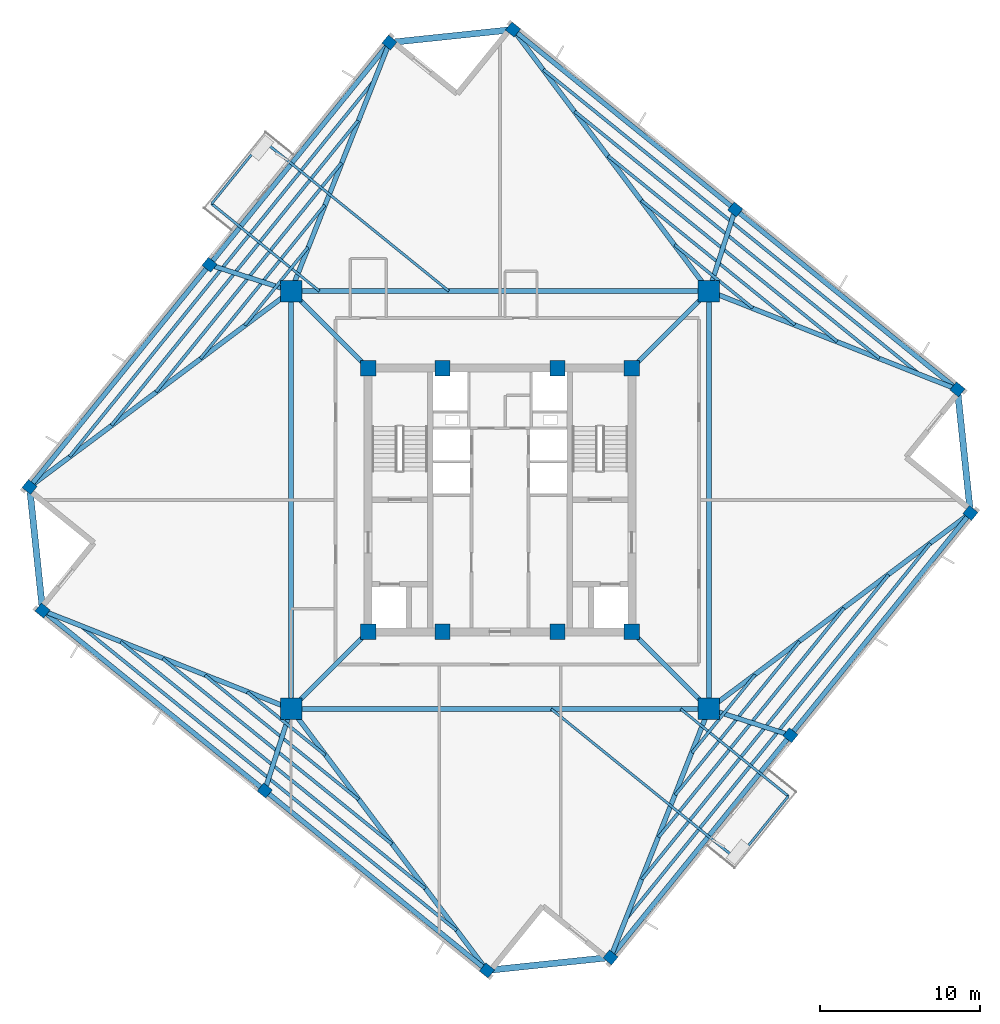
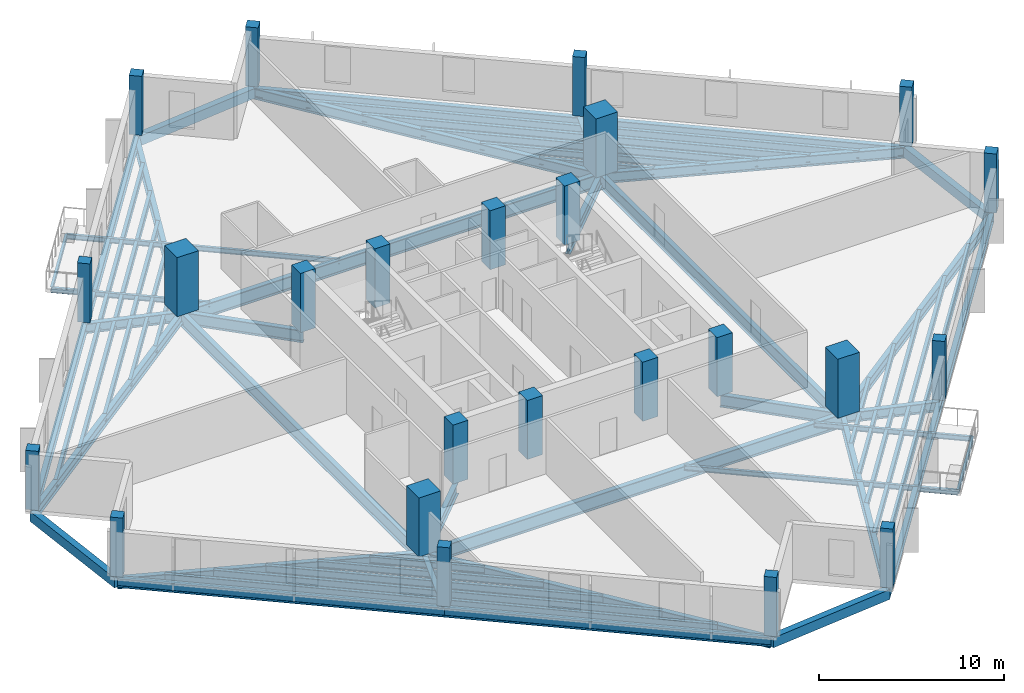
# One storey, part 1 of 9: 58 beams, 24 columns.
"""IFC4 building model written with IfcOpenShell, lengths in metres."""

from ifc_helpers import new_model, si_unit, direction, frame, origin, origin_2d, place, context, subcontext, project, spatial, rectangle, i_section, extrude, source, transform, mapped, material, material_profile, profile_set, type_object, element, save


model = new_model("IFC4")

# Units and contexts
model_context = context("Model", 3, precision=1e-05, world=origin(), true_north=direction((0.0, 1.0)))
body_context = subcontext(model_context, "Body", "Model", "MODEL_VIEW")
ifc_project = project(units=[si_unit("LENGTHUNIT", "METRE"), si_unit("AREAUNIT", "SQUARE_METRE"), si_unit("VOLUMEUNIT", "CUBIC_METRE"), si_unit("PLANEANGLEUNIT", "RADIAN"), si_unit("MASSUNIT", "GRAM", prefix="KILO"), si_unit("THERMODYNAMICTEMPERATUREUNIT", "KELVIN")], contexts=[model_context])

# Site, building, storey
site_placement = place(None, origin())
site = spatial("IfcSite", under=ifc_project, at=site_placement, CompositionType="ELEMENT")
building_placement = place(site_placement, origin())
building = spatial("IfcBuilding", under=site, at=building_placement, Name="Kosmvard Interchange Tower", CompositionType="ELEMENT")
storey_placement = place(building_placement, frame((0.0, 0.0, 248.5)))
storey = spatial("IfcBuildingStorey", under=building, at=storey_placement, Name="L60", CompositionType="ELEMENT", Elevation=248.5)

# Columns
ifc_material_1 = material(Name="Concrete C60/75", Category="concrete")
ifc_material_profile_1 = material_profile(ifc_material_1, rectangle(XDim=0.949951171875, YDim=0.949951171875, at=origin_2d()), Name="CP 950x950")
ifc_profile_set_1 = profile_set([ifc_material_profile_1], Name="Concrete C60/75")
column_type_1 = type_object("IfcColumnType", Name="Core Boundary Pilaster 950x950 C60/75", PredefinedType="PILASTER", material=ifc_profile_set_1)
shared_shape_1 = source(origin(), body_context, "Body", "SweptSolid", [
    extrude(rectangle(XDim=0.949951171875, YDim=0.949951171875, at=origin_2d()), origin(), (0.0, 0.0, 1.0), 3.89990234375),
])
for number, where, z_axis, x_axis, name in (
    (1, (-8.25, -8.25, 0.0), (0.0, 0.0, 1.0), (1.0, 0.0, 0.0), "L60 Core Pilaster CP1"),
    (2, (8.25, -8.25, 0.0), (0.0, 0.0, 1.0), (1.0, 0.0, 0.0), "L60 Core Pilaster CP2"),
    (3, (8.25, 8.25, 0.0), (0.0, 0.0, 1.0), (1.0, 0.0, 0.0), "L60 Core Pilaster CP3"),
    (4, (-8.25, 8.25, 0.0), (0.0, 0.0, 1.0), (1.0, 0.0, 0.0), "L60 Core Pilaster CP4"),
    (5, (-3.60009765625, -8.25, 0.0), (0.0, 0.0, 1.0), (1.0, 0.0, 0.0), "L60 Core Pilaster CP5"),
    (6, (3.60009765625, -8.25, 0.0), (0.0, 0.0, 1.0), (1.0, 0.0, 0.0), "L60 Core Pilaster CP6"),
    (7, (-3.60009765625, 8.25, 0.0), (0.0, 0.0, 1.0), (1.0, 0.0, 0.0), "L60 Core Pilaster CP7"),
    (8, (3.60009765625, 8.25, 0.0), (0.0, 0.0, 1.0), (1.0, 0.0, 0.0), "L60 Core Pilaster CP8"),
):
    element("IfcColumn", number, at=place(storey_placement, frame(where, z_axis=z_axis, x_axis=x_axis)), inside=storey, type_object=column_type_1, Name=name, PredefinedType="PILASTER", context=body_context, shape_type="MappedRepresentation", body=[
        mapped(shared_shape_1, transform((0.0, 0.0, 0.0), scale=1.0)),
    ])
ifc_material_profile_2 = material_profile(ifc_material_1, rectangle(XDim=1.35009765625, YDim=1.35009765625, at=origin_2d()), Name="MC 1350x1350")
ifc_profile_set_2 = profile_set([ifc_material_profile_2], Name="Concrete C60/75")
column_type_2 = type_object("IfcColumnType", Name="Composite Mega-Column 1350x1350 C60/75", PredefinedType="COLUMN", material=ifc_profile_set_2)
shared_shape_2 = source(origin(), body_context, "Body", "SweptSolid", [
    extrude(rectangle(XDim=1.35009765625, YDim=1.35009765625, at=origin_2d()), origin(), (0.0, 0.0, 1.0), 3.89990234375),
])
for number, where, z_axis, x_axis, name in (
    (9, (-13.0810546875, -13.0810546875, 0.0), (0.0, 0.0, 1.0), (1.0, 0.0, 0.0), "L60 Corner Mega-Column MC1"),
    (10, (13.0810546875, -13.0810546875, 0.0), (0.0, 0.0, 1.0), (1.0, 0.0, 0.0), "L60 Corner Mega-Column MC2"),
    (11, (13.0810546875, 13.0810546875, 0.0), (0.0, 0.0, 1.0), (1.0, 0.0, 0.0), "L60 Corner Mega-Column MC3"),
    (12, (-13.0810546875, 13.0810546875, 0.0), (0.0, 0.0, 1.0), (1.0, 0.0, 0.0), "L60 Corner Mega-Column MC4"),
):
    element("IfcColumn", number, at=place(storey_placement, frame(where, z_axis=z_axis, x_axis=x_axis)), inside=storey, type_object=column_type_2, Name=name, PredefinedType="COLUMN", context=body_context, shape_type="MappedRepresentation", body=[
        mapped(shared_shape_2, transform((0.0, 0.0, 0.0), scale=1.0)),
    ])
ifc_material_2 = material(Name="Concrete C50/60", Category="concrete")
ifc_material_profile_3 = material_profile(ifc_material_2, rectangle(XDim=0.64990234375, YDim=0.699951171875, at=origin_2d()), Name="TC 700x650")
ifc_profile_set_3 = profile_set([ifc_material_profile_3], Name="Concrete C50/60")
column_type_3 = type_object("IfcColumnType", Name="Zone 4 Perimeter Pier Column 700x650 C50/60", PredefinedType="COLUMN", material=ifc_profile_set_3)
shared_shape_3 = source(origin(), body_context, "Body", "SweptSolid", [
    extrude(rectangle(XDim=0.64990234375, YDim=0.699951171875, at=origin_2d()), origin(), (0.0, 0.0, 1.0), 3.89990234375),
])
for number, where, z_axis, x_axis, name in (
    (13, (6.92041015625, -28.636962890625, 0.0), (0.0, 0.0, 1.0), (0.62932039105, 0.777145961457, 0.0), "L60 Perimeter Pier Column TC-S1"),
    (14, (18.185302734375, -14.72607421875, 0.0), (0.0, 0.0, 1.0), (0.62932039105, 0.777145961457, 0.0), "L60 Perimeter Pier Column TC-S2"),
    (15, (29.449951171875, -0.815185546875, 0.0), (0.0, 0.0, 1.0), (0.62932039105, 0.777145961457, 0.0), "L60 Perimeter Pier Column TC-S3"),
    (16, (28.636962890625, 6.92041015625, 0.0), (0.0, 0.0, 1.0), (0.62932039105, 0.777145961457, 0.0), "L60 Perimeter Pier Column TC-E1"),
    (17, (14.72607421875, 18.185302734375, 0.0), (0.0, 0.0, 1.0), (0.62932039105, 0.777145961457, 0.0), "L60 Perimeter Pier Column TC-E2"),
    (18, (0.815185546875, 29.449951171875, 0.0), (0.0, 0.0, 1.0), (0.62932039105, 0.777145961457, 0.0), "L60 Perimeter Pier Column TC-E3"),
    (19, (-6.92041015625, 28.636962890625, 0.0), (0.0, 0.0, 1.0), (0.62932039105, 0.777145961457, 0.0), "L60 Perimeter Pier Column TC-N1"),
    (20, (-18.185302734375, 14.72607421875, 0.0), (0.0, 0.0, 1.0), (0.62932039105, 0.777145961457, 0.0), "L60 Perimeter Pier Column TC-N2"),
    (21, (-29.449951171875, 0.815185546875, 0.0), (0.0, 0.0, 1.0), (0.62932039105, 0.777145961457, 0.0), "L60 Perimeter Pier Column TC-N3"),
    (22, (-28.636962890625, -6.92041015625, 0.0), (0.0, 0.0, 1.0), (0.62932039105, 0.777145961457, 0.0), "L60 Perimeter Pier Column TC-W1"),
    (23, (-14.72607421875, -18.185302734375, 0.0), (0.0, 0.0, 1.0), (0.62932039105, 0.777145961457, 0.0), "L60 Perimeter Pier Column TC-W2"),
    (24, (-0.815185546875, -29.449951171875, 0.0), (0.0, 0.0, 1.0), (0.62932039105, 0.777145961457, 0.0), "L60 Perimeter Pier Column TC-W3"),
):
    element("IfcColumn", number, at=place(storey_placement, frame(where, z_axis=z_axis, x_axis=x_axis)), inside=storey, type_object=column_type_3, Name=name, PredefinedType="COLUMN", context=body_context, shape_type="MappedRepresentation", body=[
        mapped(shared_shape_3, transform((0.0, 0.0, 0.0), scale=1.0)),
    ])

# Beams
ifc_material_3 = material(Name="Steel S355", Category="steel")
ifc_material_profile_4 = material_profile(ifc_material_3, i_section(OverallWidth=0.14990234375, OverallDepth=0.300048828125, WebThickness=0.007080078125, FlangeThickness=0.0107421875, FilletRadius=0.014892578125, at=origin_2d()), Name="IPE 300")
ifc_profile_set_4 = profile_set([ifc_material_profile_4], Name="Steel S355")
beam_type_1 = type_object("IfcBeamType", Name="Balcony Edge Header Joist IPE 300 S355", PredefinedType="JOIST", material=ifc_profile_set_4)
shared_shape_4 = source(origin(), body_context, "Body", "SweptSolid", [
    extrude(i_section(OverallWidth=0.14990234375, OverallDepth=0.300048828125, WebThickness=0.007080078125, FlangeThickness=0.0107421875, FilletRadius=0.014892578125, at=origin_2d()), origin(), (0.0, 0.0, 1.0), 5.099853515625),
])
for number, where, z_axis, x_axis, name in (
    (25, (-14.84375, 22.50732421875, -0.389892578125), (-0.629319408179, -0.777146757369, 0.0), (0.777146757369, -0.629319408179, 0.0), "BM-L60-BJH1"),
    (26, (14.84375, -22.50732421875, -0.389892578125), (0.629319408179, 0.777146757369, 0.0), (-0.777146757369, 0.629319408179, 0.0), "BM-L60-BJH2"),
):
    element("IfcBeam", number, at=place(storey_placement, frame(where, z_axis=z_axis, x_axis=x_axis)), inside=storey, type_object=beam_type_1, Name=name, PredefinedType="JOIST", context=body_context, shape_type="MappedRepresentation", body=[
        mapped(shared_shape_4, transform((0.0, 0.0, 0.0), scale=1.0)),
    ])
ifc_material_profile_5 = material_profile(ifc_material_3, i_section(OverallWidth=0.300048828125, OverallDepth=0.800048828125, WebThickness=0.017578125, FlangeThickness=0.032958984375, FilletRadius=0.027099609375, at=origin_2d()), Name="HEB 800")
ifc_profile_set_5 = profile_set([ifc_material_profile_5], Name="Steel S355")
beam_type_2 = type_object("IfcBeamType", Name="Primary Mega-Frame Girder HEB 800 S355", PredefinedType="BEAM", material=ifc_profile_set_5)
shared_shape_5 = source(origin(), body_context, "Body", "SweptSolid", [
    extrude(i_section(OverallWidth=0.300048828125, OverallDepth=0.800048828125, WebThickness=0.017578125, FlangeThickness=0.032958984375, FilletRadius=0.027099609375, at=origin_2d()), origin(), (0.0, 0.0, 1.0), 6.83203125),
])
for number, where, z_axis, x_axis, name in (
    (27, (-8.25, -8.25, -0.639892578125), (-0.707106781187, -0.707106781187, 0.0), (0.707106781187, -0.707106781187, 0.0), "L60 Radial Mega-Frame Girder 1"),
    (28, (8.25, -8.25, -0.639892578125), (0.707106781187, -0.707106781187, 0.0), (0.707106781187, 0.707106781187, 0.0), "L60 Radial Mega-Frame Girder 2"),
    (29, (8.25, 8.25, -0.639892578125), (0.707106781187, 0.707106781187, 0.0), (-0.707106781187, 0.707106781187, 0.0), "L60 Radial Mega-Frame Girder 3"),
    (30, (-8.25, 8.25, -0.639892578125), (-0.707106781187, 0.707106781187, 0.0), (-0.707106781187, -0.707106781187, 0.0), "L60 Radial Mega-Frame Girder 4"),
):
    element("IfcBeam", number, at=place(storey_placement, frame(where, z_axis=z_axis, x_axis=x_axis)), inside=storey, type_object=beam_type_2, Name=name, PredefinedType="BEAM", context=body_context, shape_type="MappedRepresentation", body=[
        mapped(shared_shape_5, transform((0.0, 0.0, 0.0), scale=1.0)),
    ])
ifc_material_profile_6 = material_profile(ifc_material_3, i_section(OverallWidth=0.300048828125, OverallDepth=0.89990234375, WebThickness=0.0185546875, FlangeThickness=0.034912109375, FilletRadius=0.030029296875, at=origin_2d()), Name="HEB 900")
ifc_profile_set_6 = profile_set([ifc_material_profile_6], Name="Steel S355")
beam_type_3 = type_object("IfcBeamType", Name="Mega-Column Ring Girder HEB 900 S355", PredefinedType="BEAM", material=ifc_profile_set_6)
shared_shape_6 = source(origin(), body_context, "Body", "SweptSolid", [
    extrude(i_section(OverallWidth=0.300048828125, OverallDepth=0.89990234375, WebThickness=0.0185546875, FlangeThickness=0.034912109375, FilletRadius=0.030029296875, at=origin_2d()), origin(), (0.0, 0.0, 1.0), 26.162109375),
])
for number, where, z_axis, x_axis, name in (
    (31, (-13.0810546875, -13.0810546875, -0.68994140625), (1.0, 0.0, 0.0), (0.0, 1.0, 0.0), "L60 Mega-Column Ring Girder 1"),
    (32, (13.0810546875, -13.0810546875, -0.68994140625), (0.0, 1.0, 0.0), (-1.0, 0.0, 0.0), "L60 Mega-Column Ring Girder 2"),
    (33, (13.0810546875, 13.0810546875, -0.68994140625), (-1.0, 0.0, 0.0), (0.0, -1.0, 0.0), "L60 Mega-Column Ring Girder 3"),
    (34, (-13.0810546875, 13.0810546875, -0.68994140625), (0.0, -1.0, 0.0), (1.0, 0.0, 0.0), "L60 Mega-Column Ring Girder 4"),
):
    element("IfcBeam", number, at=place(storey_placement, frame(where, z_axis=z_axis, x_axis=x_axis)), inside=storey, type_object=beam_type_3, Name=name, PredefinedType="BEAM", context=body_context, shape_type="MappedRepresentation", body=[
        mapped(shared_shape_6, transform((0.0, 0.0, 0.0), scale=1.0)),
    ])
ifc_material_profile_7 = material_profile(ifc_material_3, i_section(OverallWidth=0.300048828125, OverallDepth=0.60009765625, WebThickness=0.015380859375, FlangeThickness=0.030029296875, FilletRadius=0.027099609375, at=origin_2d()), Name="HEB 600")
ifc_profile_set_7 = profile_set([ifc_material_profile_7], Name="Steel S355")
beam_type_4 = type_object("IfcBeamType", Name="Perimeter Tie Girder HEB 600 S355", PredefinedType="BEAM", material=ifc_profile_set_7)
shared_shape_7 = source(origin(), body_context, "Body", "SweptSolid", [
    extrude(i_section(OverallWidth=0.300048828125, OverallDepth=0.60009765625, WebThickness=0.015380859375, FlangeThickness=0.030029296875, FilletRadius=0.027099609375, at=origin_2d()), origin(), (0.0, 0.0, 1.0), 17.89990234375),
])
for number, where, z_axis, x_axis, name in (
    (35, (6.92041015625, -28.636962890625, -0.5400390625), (0.629322990554, 0.777143856413, 0.0), (-0.777143856413, 0.629322990554, 0.0), "BM-L60-PR01"),
    (36, (18.185302734375, -14.72607421875, -0.5400390625), (0.629314753061, 0.777150526976, 0.0), (-0.777150526976, 0.629314753061, 0.0), "BM-L60-PR02"),
    (37, (28.636962890625, 6.92041015625, -0.5400390625), (-0.777143856413, 0.629322990554, 0.0), (-0.629322990554, -0.777143856413, 0.0), "BM-L60-PR04"),
    (38, (14.72607421875, 18.185302734375, -0.5400390625), (-0.777150526976, 0.629314753061, 0.0), (-0.629314753061, -0.777150526976, 0.0), "BM-L60-PR05"),
    (39, (-6.92041015625, 28.636962890625, -0.5400390625), (-0.629322990554, -0.777143856413, 0.0), (0.777143856413, -0.629322990554, 0.0), "BM-L60-PR07"),
    (40, (-18.185302734375, 14.72607421875, -0.5400390625), (-0.629314753061, -0.777150526976, 0.0), (0.777150526976, -0.629314753061, 0.0), "BM-L60-PR08"),
    (41, (-28.636962890625, -6.92041015625, -0.5400390625), (0.777143856413, -0.629322990554, 0.0), (0.629322990554, 0.777143856413, 0.0), "BM-L60-PR10"),
    (42, (-14.72607421875, -18.185302734375, -0.5400390625), (0.777150526976, -0.629314753061, 0.0), (0.629314753061, 0.777150526976, 0.0), "BM-L60-PR11"),
):
    element("IfcBeam", number, at=place(storey_placement, frame(where, z_axis=z_axis, x_axis=x_axis)), inside=storey, type_object=beam_type_4, Name=name, PredefinedType="BEAM", context=body_context, shape_type="MappedRepresentation", body=[
        mapped(shared_shape_7, transform((0.0, 0.0, 0.0), scale=1.0)),
    ])
ifc_material_profile_8 = material_profile(ifc_material_3, i_section(OverallWidth=0.300048828125, OverallDepth=0.699951171875, WebThickness=0.01708984375, FlangeThickness=0.031982421875, FilletRadius=0.027099609375, at=origin_2d()), Name="HEB 700")
ifc_profile_set_8 = profile_set([ifc_material_profile_8], Name="Steel S355")
beam_type_5 = type_object("IfcBeamType", Name="Primary Floor Girder HEB 700 S355", PredefinedType="BEAM", material=ifc_profile_set_8)
shared_shape_8 = source(origin(), body_context, "Body", "SweptSolid", [
    extrude(i_section(OverallWidth=0.300048828125, OverallDepth=0.699951171875, WebThickness=0.01708984375, FlangeThickness=0.031982421875, FilletRadius=0.027099609375, at=origin_2d()), origin(), (0.0, 0.0, 1.0), 16.7314453125),
])
for number, where, z_axis, x_axis, name in (
    (43, (13.0810546875, -13.0810546875, -0.590087890625), (-0.368208500474, -0.929743244223, 0.0), (0.929743244223, -0.368208500474, 0.0), "BM-L60-RD01"),
    (44, (13.0810546875, 13.0810546875, -0.590087890625), (0.929743244223, -0.368208500474, 0.0), (0.368208500474, 0.929743244223, 0.0), "BM-L60-RD04"),
    (45, (-13.0810546875, 13.0810546875, -0.590087890625), (0.368208500474, 0.929743244223, 0.0), (-0.929743244223, 0.368208500474, 0.0), "BM-L60-RD07"),
    (46, (-13.0810546875, -13.0810546875, -0.590087890625), (-0.929743244223, 0.368208500474, 0.0), (-0.368208500474, -0.929743244223, 0.0), "BM-L60-RD10"),
):
    element("IfcBeam", number, at=place(storey_placement, frame(where, z_axis=z_axis, x_axis=x_axis)), inside=storey, type_object=beam_type_5, Name=name, PredefinedType="BEAM", context=body_context, shape_type="MappedRepresentation", body=[
        mapped(shared_shape_8, transform((0.0, 0.0, 0.0), scale=1.0)),
    ])
ifc_material_profile_9 = material_profile(ifc_material_3, i_section(OverallWidth=0.300048828125, OverallDepth=0.64990234375, WebThickness=0.01611328125, FlangeThickness=0.031005859375, FilletRadius=0.027099609375, at=origin_2d()), Name="HEB 650")
ifc_profile_set_9 = profile_set([ifc_material_profile_9], Name="Steel S355")
beam_type_6 = type_object("IfcBeamType", Name="Primary Floor Girder HEB 650 S355", PredefinedType="BEAM", material=ifc_profile_set_9)
shared_shape_9 = source(origin(), body_context, "Body", "SweptSolid", [
    extrude(i_section(OverallWidth=0.300048828125, OverallDepth=0.64990234375, WebThickness=0.01611328125, FlangeThickness=0.031005859375, FilletRadius=0.027099609375, at=origin_2d()), origin(), (0.0, 0.0, 1.0), 5.36279296875),
])
for number, where, z_axis, x_axis, name in (
    (47, (13.0810546875, -13.0810546875, -0.56494140625), (0.951790966135, -0.306747382686, 0.0), (0.306747382686, 0.951790966135, 0.0), "BM-L60-RD02"),
    (48, (13.0810546875, 13.0810546875, -0.56494140625), (0.306747382686, 0.951790966135, 0.0), (-0.951790966135, 0.306747382686, 0.0), "BM-L60-RD05"),
    (49, (-13.0810546875, 13.0810546875, -0.56494140625), (-0.951790966135, 0.306747382686, 0.0), (-0.306747382686, -0.951790966135, 0.0), "BM-L60-RD08"),
    (50, (-13.0810546875, -13.0810546875, -0.56494140625), (-0.306747382686, -0.951790966135, 0.0), (0.951790966135, -0.306747382686, 0.0), "BM-L60-RD11"),
):
    element("IfcBeam", number, at=place(storey_placement, frame(where, z_axis=z_axis, x_axis=x_axis)), inside=storey, type_object=beam_type_6, Name=name, PredefinedType="BEAM", context=body_context, shape_type="MappedRepresentation", body=[
        mapped(shared_shape_9, transform((0.0, 0.0, 0.0), scale=1.0)),
    ])
ifc_material_4 = material(Name="Precast concrete C45/55", Category="concrete")
ifc_material_profile_10 = material_profile(ifc_material_4, rectangle(XDim=0.39990234375, YDim=0.64990234375, at=origin_2d()), Name="SL 400x650")
ifc_profile_set_10 = profile_set([ifc_material_profile_10], Name="Precast concrete C45/55")
beam_type_7 = type_object("IfcBeamType", Name="Precast Spandrel Lintel 400x650 C45/55", PredefinedType="LINTEL", material=ifc_profile_set_10)
shared_shape_10 = source(origin(), body_context, "Body", "SweptSolid", [
    extrude(rectangle(XDim=0.39990234375, YDim=0.64990234375, at=origin_2d()), origin(), (0.0, 0.0, 1.0), 7.7783203125),
])
for number, where, z_axis, x_axis, name in (
    (51, (29.449951171875, -0.815185546875, -0.56494140625), (-0.104521394525, 0.994522638298, 0.0), (-0.994522638298, -0.104521394525, 0.0), "BM-L60-SL1"),
    (52, (0.815185546875, 29.449951171875, -0.56494140625), (-0.994522638298, -0.104521394525, 0.0), (0.104521394525, -0.994522638298, 0.0), "BM-L60-SL2"),
    (53, (-29.449951171875, 0.815185546875, -0.56494140625), (0.104521394525, -0.994522638298, 0.0), (0.994522638298, 0.104521394525, 0.0), "BM-L60-SL3"),
    (54, (-0.815185546875, -29.449951171875, -0.56494140625), (0.994522638298, 0.104521394525, 0.0), (-0.104521394525, 0.994522638298, 0.0), "BM-L60-SL4"),
):
    element("IfcBeam", number, at=place(storey_placement, frame(where, z_axis=z_axis, x_axis=x_axis)), inside=storey, type_object=beam_type_7, Name=name, PredefinedType="LINTEL", context=body_context, shape_type="MappedRepresentation", body=[
        mapped(shared_shape_10, transform((0.0, 0.0, 0.0), scale=1.0)),
    ])
shared_shape_11 = source(origin(), body_context, "Body", "SweptSolid", [
    extrude(i_section(OverallWidth=0.300048828125, OverallDepth=0.699951171875, WebThickness=0.01708984375, FlangeThickness=0.031982421875, FilletRadius=0.027099609375, at=origin_2d()), origin(), (0.0, 0.0, 1.0), 20.45458984375),
])
for number, where, z_axis, x_axis, name in (
    (55, (13.0810546875, -13.0810546875, -0.590087890625), (0.800253443036, 0.599661927179, 0.0), (-0.599661927179, 0.800253443036, 0.0), "BM-L60-RD03"),
    (56, (13.0810546875, 13.0810546875, -0.590087890625), (-0.599661927179, 0.800253443036, 0.0), (-0.800253443036, -0.599661927179, 0.0), "BM-L60-RD06"),
    (57, (-13.0810546875, 13.0810546875, -0.590087890625), (-0.800253443036, -0.599661927179, 0.0), (0.599661927179, -0.800253443036, 0.0), "BM-L60-RD09"),
    (58, (-13.0810546875, -13.0810546875, -0.590087890625), (0.599661927179, -0.800253443036, 0.0), (0.800253443036, 0.599661927179, 0.0), "BM-L60-RD12"),
):
    element("IfcBeam", number, at=place(storey_placement, frame(where, z_axis=z_axis, x_axis=x_axis)), inside=storey, type_object=beam_type_5, Name=name, PredefinedType="BEAM", context=body_context, shape_type="MappedRepresentation", body=[
        mapped(shared_shape_11, transform((0.0, 0.0, 0.0), scale=1.0)),
    ])
ifc_material_profile_11 = material_profile(ifc_material_3, i_section(OverallWidth=0.18994140625, OverallDepth=0.449951171875, WebThickness=0.009521484375, FlangeThickness=0.0146484375, FilletRadius=0.02099609375, at=origin_2d()), Name="IPE 450")
ifc_profile_set_11 = profile_set([ifc_material_profile_11], Name="Steel S355")
beam_type_8 = type_object("IfcBeamType", Name="Mid-Rise Floor Joist IPE 450 S355", PredefinedType="JOIST", material=ifc_profile_set_11)
shared_shape_12 = source(origin(), body_context, "Body", "SweptSolid", [
    extrude(i_section(OverallWidth=0.18994140625, OverallDepth=0.449951171875, WebThickness=0.009521484375, FlangeThickness=0.0146484375, FilletRadius=0.02099609375, at=origin_2d()), origin(), (0.0, 0.0, 1.0), 6.283935546875),
])
for number, where, z_axis, x_axis, name in (
    (59, (12.0224609375, -15.81884765625, -0.465087890625), (0.629317809561, 0.777148051898, 0.0), (-0.777148051898, 0.629317809561, 0.0), "BM-L60-FJ01"),
    (60, (15.81884765625, 12.0224609375, -0.465087890625), (-0.777148051898, 0.629317809561, 0.0), (-0.629317809561, -0.777148051898, 0.0), "BM-L60-FJ06"),
    (61, (-12.0224609375, 15.81884765625, -0.465087890625), (-0.629317809561, -0.777148051898, 0.0), (0.777148051898, -0.629317809561, 0.0), "BM-L60-FJ11"),
    (62, (-15.81884765625, -12.0224609375, -0.465087890625), (0.777148051898, -0.629317809561, 0.0), (0.629317809561, 0.777148051898, 0.0), "BM-L60-FJ16"),
):
    element("IfcBeam", number, at=place(storey_placement, frame(where, z_axis=z_axis, x_axis=x_axis)), inside=storey, type_object=beam_type_8, Name=name, PredefinedType="JOIST", context=body_context, shape_type="MappedRepresentation", body=[
        mapped(shared_shape_12, transform((0.0, 0.0, 0.0), scale=1.0)),
    ])
shared_shape_13 = source(origin(), body_context, "Body", "SweptSolid", [
    extrude(i_section(OverallWidth=0.18994140625, OverallDepth=0.449951171875, WebThickness=0.009521484375, FlangeThickness=0.0146484375, FilletRadius=0.02099609375, at=origin_2d()), origin(), (0.0, 0.0, 1.0), 12.369873046875),
])
for number, where, z_axis, x_axis, name in (
    (63, (10.97509765625, -18.46337890625, -0.465087890625), (0.629319722443, 0.777146502883, 0.0), (-0.777146502883, 0.629319722443, 0.0), "BM-L60-FJ02"),
    (64, (18.46337890625, 10.97509765625, -0.465087890625), (-0.777146502883, 0.629319722443, 0.0), (-0.629319722443, -0.777146502883, 0.0), "BM-L60-FJ07"),
    (65, (-10.97509765625, 18.46337890625, -0.465087890625), (-0.629319722443, -0.777146502883, 0.0), (0.777146502883, -0.629319722443, 0.0), "BM-L60-FJ12"),
    (66, (-18.46337890625, -10.97509765625, -0.465087890625), (0.777146502883, -0.629319722443, 0.0), (0.629319722443, 0.777146502883, 0.0), "BM-L60-FJ17"),
):
    element("IfcBeam", number, at=place(storey_placement, frame(where, z_axis=z_axis, x_axis=x_axis)), inside=storey, type_object=beam_type_8, Name=name, PredefinedType="JOIST", context=body_context, shape_type="MappedRepresentation", body=[
        mapped(shared_shape_13, transform((0.0, 0.0, 0.0), scale=1.0)),
    ])
ifc_material_profile_12 = material_profile(ifc_material_3, i_section(OverallWidth=0.199951171875, OverallDepth=0.5, WebThickness=0.01025390625, FlangeThickness=0.01611328125, FilletRadius=0.02099609375, at=origin_2d()), Name="IPE 500")
ifc_profile_set_12 = profile_set([ifc_material_profile_12], Name="Steel S355")
beam_type_9 = type_object("IfcBeamType", Name="Standard Floor Joist IPE 500 S355", PredefinedType="JOIST", material=ifc_profile_set_12)
shared_shape_14 = source(origin(), body_context, "Body", "SweptSolid", [
    extrude(i_section(OverallWidth=0.199951171875, OverallDepth=0.5, WebThickness=0.01025390625, FlangeThickness=0.01611328125, FilletRadius=0.02099609375, at=origin_2d()), origin(), (0.0, 0.0, 1.0), 18.4560546875),
])
for number, where, z_axis, x_axis, name in (
    (67, (9.927734375, -21.10791015625, -0.489990234375), (0.629320373744, 0.777145975471, 0.0), (-0.777145975471, 0.629320373744, 0.0), "BM-L60-FJ03"),
    (68, (21.10791015625, 9.927734375, -0.489990234375), (-0.777145975471, 0.629320373744, 0.0), (-0.629320373744, -0.777145975471, 0.0), "BM-L60-FJ08"),
    (69, (-9.927734375, 21.10791015625, -0.489990234375), (-0.629320373744, -0.777145975471, 0.0), (0.777145975471, -0.629320373744, 0.0), "BM-L60-FJ13"),
    (70, (-21.10791015625, -9.927734375, -0.489990234375), (0.777145975471, -0.629320373744, 0.0), (0.629320373744, 0.777145975471, 0.0), "BM-L60-FJ18"),
):
    element("IfcBeam", number, at=place(storey_placement, frame(where, z_axis=z_axis, x_axis=x_axis)), inside=storey, type_object=beam_type_9, Name=name, PredefinedType="JOIST", context=body_context, shape_type="MappedRepresentation", body=[
        mapped(shared_shape_14, transform((0.0, 0.0, 0.0), scale=1.0)),
    ])
shared_shape_15 = source(origin(), body_context, "Body", "SweptSolid", [
    extrude(i_section(OverallWidth=0.199951171875, OverallDepth=0.5, WebThickness=0.01025390625, FlangeThickness=0.01611328125, FilletRadius=0.02099609375, at=origin_2d()), origin(), (0.0, 0.0, 1.0), 24.5419921875),
])
for number, where, z_axis, x_axis, name in (
    (71, (8.880615234375, -23.75244140625, -0.489990234375), (0.629314693907, 0.777150574878, 0.0), (-0.777150574878, 0.629314693907, 0.0), "BM-L60-FJ04"),
    (72, (23.75244140625, 8.880615234375, -0.489990234375), (-0.777150574878, 0.629314693907, 0.0), (-0.629314693907, -0.777150574878, 0.0), "BM-L60-FJ09"),
    (73, (-8.880615234375, 23.75244140625, -0.489990234375), (-0.629314693907, -0.777150574878, 0.0), (0.777150574878, -0.629314693907, 0.0), "BM-L60-FJ14"),
    (74, (-23.75244140625, -8.880615234375, -0.489990234375), (0.777150574878, -0.629314693907, 0.0), (0.629314693907, 0.777150574878, 0.0), "BM-L60-FJ19"),
):
    element("IfcBeam", number, at=place(storey_placement, frame(where, z_axis=z_axis, x_axis=x_axis)), inside=storey, type_object=beam_type_9, Name=name, PredefinedType="JOIST", context=body_context, shape_type="MappedRepresentation", body=[
        mapped(shared_shape_15, transform((0.0, 0.0, 0.0), scale=1.0)),
    ])
shared_shape_16 = source(origin(), body_context, "Body", "SweptSolid", [
    extrude(i_section(OverallWidth=0.199951171875, OverallDepth=0.5, WebThickness=0.01025390625, FlangeThickness=0.01611328125, FilletRadius=0.02099609375, at=origin_2d()), origin(), (0.0, 0.0, 1.0), 30.27001953125),
])
for number, where, z_axis, x_axis, name in (
    (75, (7.894775390625, -26.241455078125, -0.489990234375), (0.629321655027, 0.777144937907, 0.0), (-0.777144937907, 0.629321655027, 0.0), "BM-L60-FJ05"),
    (76, (26.241455078125, 7.894775390625, -0.489990234375), (-0.777144937907, 0.629321655027, 0.0), (-0.629321655027, -0.777144937907, 0.0), "BM-L60-FJ10"),
    (77, (-7.894775390625, 26.241455078125, -0.489990234375), (-0.629321655027, -0.777144937907, 0.0), (0.777144937907, -0.629321655027, 0.0), "BM-L60-FJ15"),
    (78, (-26.241455078125, -7.894775390625, -0.489990234375), (0.777144937907, -0.629321655027, 0.0), (0.629321655027, 0.777144937907, 0.0), "BM-L60-FJ20"),
):
    element("IfcBeam", number, at=place(storey_placement, frame(where, z_axis=z_axis, x_axis=x_axis)), inside=storey, type_object=beam_type_9, Name=name, PredefinedType="JOIST", context=body_context, shape_type="MappedRepresentation", body=[
        mapped(shared_shape_16, transform((0.0, 0.0, 0.0), scale=1.0)),
    ])
ifc_material_profile_13 = material_profile(ifc_material_3, i_section(OverallWidth=0.159912109375, OverallDepth=0.330078125, WebThickness=0.007568359375, FlangeThickness=0.011474609375, FilletRadius=0.01806640625, at=origin_2d()), Name="IPE 330")
ifc_profile_set_13 = profile_set([ifc_material_profile_13], Name="Steel S355")
beam_type_10 = type_object("IfcBeamType", Name="Balcony Cantilever Joist IPE 330 S355", PredefinedType="JOIST", material=ifc_profile_set_13)
shared_shape_17 = source(origin(), body_context, "Body", "SweptSolid", [
    extrude(i_section(OverallWidth=0.159912109375, OverallDepth=0.330078125, WebThickness=0.007568359375, FlangeThickness=0.011474609375, FilletRadius=0.01806640625, at=origin_2d()), origin(), (0.0, 0.0, 1.0), 14.978515625),
])
for number, where, z_axis, x_axis, name in (
    (79, (-3.203125, 13.0810546875, -0.405029296875), (-0.777149968763, 0.629315442407, 0.0), (-0.629315442407, -0.777149968763, 0.0), "BM-L60-BJ1"),
    (80, (3.203125, -13.0810546875, -0.405029296875), (0.777149968763, -0.629315442407, 0.0), (0.629315442407, 0.777149968763, 0.0), "BM-L60-BJ2"),
):
    element("IfcBeam", number, at=place(storey_placement, frame(where, z_axis=z_axis, x_axis=x_axis)), inside=storey, type_object=beam_type_10, Name=name, PredefinedType="JOIST", context=body_context, shape_type="MappedRepresentation", body=[
        mapped(shared_shape_17, transform((0.0, 0.0, 0.0), scale=1.0)),
    ])
shared_shape_18 = source(origin(), body_context, "Body", "SweptSolid", [
    extrude(i_section(OverallWidth=0.159912109375, OverallDepth=0.330078125, WebThickness=0.007568359375, FlangeThickness=0.011474609375, FilletRadius=0.01806640625, at=origin_2d()), origin(), (0.0, 0.0, 1.0), 8.6806640625),
])
for number, where, z_axis, x_axis, name in (
    (81, (-11.30712890625, 13.0810546875, -0.405029296875), (-0.777145306785, 0.629321199501, 0.0), (-0.629321199501, -0.777145306785, 0.0), "BM-L60-BJB1"),
    (82, (11.30712890625, -13.0810546875, -0.405029296875), (0.777145306785, -0.629321199501, 0.0), (0.629321199501, 0.777145306785, 0.0), "BM-L60-BJB2"),
):
    element("IfcBeam", number, at=place(storey_placement, frame(where, z_axis=z_axis, x_axis=x_axis)), inside=storey, type_object=beam_type_10, Name=name, PredefinedType="JOIST", context=body_context, shape_type="MappedRepresentation", body=[
        mapped(shared_shape_18, transform((0.0, 0.0, 0.0), scale=1.0)),
    ])

save(model, "model.ifc")
